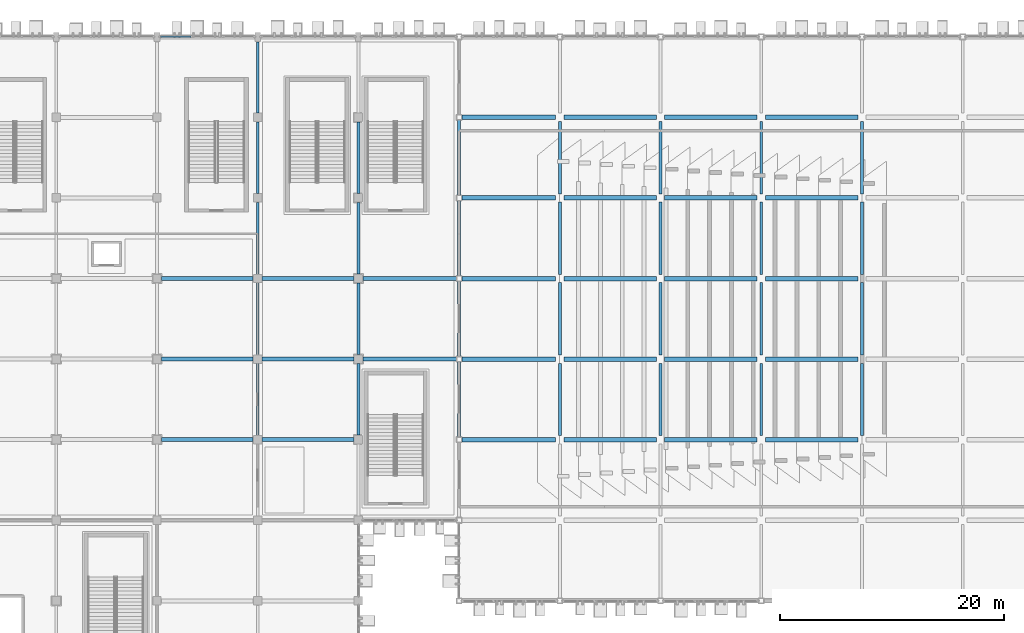
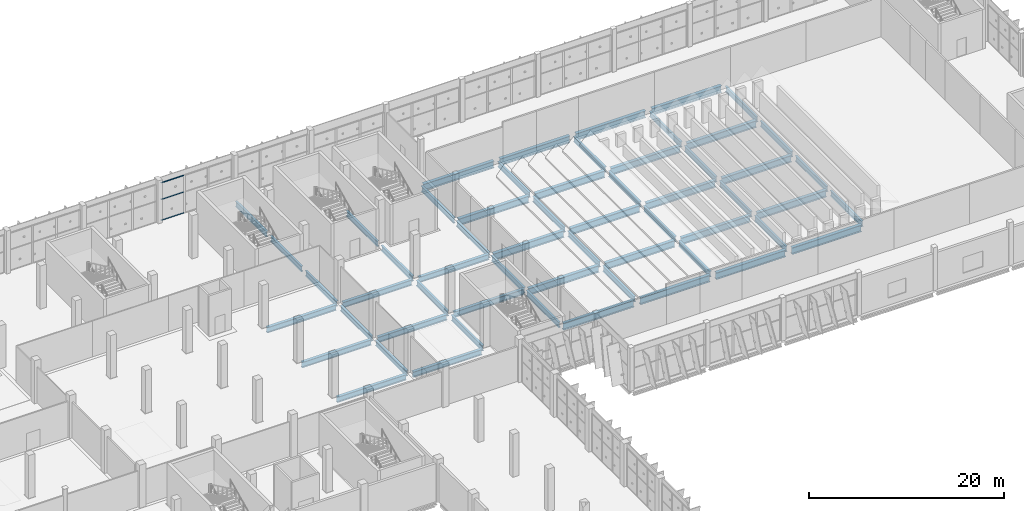
# One storey, part 101 of 189: 57 beams, 3 members, 1 element without a shape of its own.
"""IFC4 building model written with IfcOpenShell, lengths in metres."""

from ifc_helpers import new_model, si_unit, direction, frame, origin, origin_2d, place, context, subcontext, project, spatial, hollow_rectangle, i_section, extrude, material, layer, layer_set, material_profile, profile_set, type_object, element, aggregate, save


model = new_model("IFC4")

# Units and contexts
model_context = context("Model", 3, precision=1e-05, world=origin(), true_north=direction((0.0, 1.0)))
body_context = subcontext(model_context, "Body", "Model", "MODEL_VIEW")
ifc_project = project(units=[si_unit("LENGTHUNIT", "METRE"), si_unit("AREAUNIT", "SQUARE_METRE"), si_unit("VOLUMEUNIT", "CUBIC_METRE"), si_unit("PLANEANGLEUNIT", "RADIAN"), si_unit("MASSUNIT", "GRAM", prefix="KILO")], contexts=[model_context])

# Site, building, storey
site_placement = place(None, origin())
site = spatial("IfcSite", under=ifc_project, at=site_placement, CompositionType="ELEMENT")
building_placement = place(site_placement, origin())
building = spatial("IfcBuilding", under=site, at=building_placement, Name="Celestram Park Convention Centre", CompositionType="ELEMENT")
storey_placement = place(building_placement, frame((0.0, 0.0, 5.39990234375)))
storey = spatial("IfcBuildingStorey", under=building, at=storey_placement, Name="L01", CompositionType="ELEMENT", Elevation=5.39990234375)

# Curtain wall, members
ifc_material_1 = material(Name="Anodised Aluminium Alloy 6063-T6", Category="aluminium")
ifc_layer = layer(ifc_material_1, 0.179931640625)
ifc_layer_set = layer_set([ifc_layer], Name="Anodised Aluminium Alloy 6063-T6")
curtain_wall_type = type_object("IfcCurtainWallType", Name="ARC-CW-850X476", PredefinedType="NOTDEFINED", material=ifc_layer_set)
curtain_wall_placement = place(storey_placement, origin())
curtain_wall = element("IfcCurtainWall", 1, at=curtain_wall_placement, inside=storey, type_object=curtain_wall_type, Name="Unitised curtain wall CU-L01-065", PredefinedType="NOTDEFINED")
ifc_material_profile_1 = material_profile(ifc_material_1, hollow_rectangle(XDim=0.14990234375, YDim=0.06494140625, WallThickness=0.0029296875, at=origin_2d()), Name="ALU150X65X3")
ifc_profile_set_1 = profile_set([ifc_material_profile_1], Name="Anodised Aluminium Alloy 6063-T6")
member_type = type_object("IfcMemberType", Name="ARC-CWT-150", PredefinedType="USERDEFINED", material=ifc_profile_set_1)
member_1_placement = place(storey_placement, frame((126.322998046875, 165.60009765625, 0.03271484375), z_axis=(1.0, 0.0, 0.0), x_axis=(0.0, 1.0, 0.0)))
member_1 = element("IfcMember", 2, at=member_1_placement, type_object=member_type, Name="CW-85X47 transom 1.1", ObjectType="TRANSOM", PredefinedType="USERDEFINED", context=body_context, shape_type="SweptSolid", body=[
    extrude(hollow_rectangle(XDim=0.14990234375, YDim=0.06494140625, WallThickness=0.0029296875, at=origin_2d()), origin(), (0.0, 0.0, 1.0), 2.72216796875),
])
member_2_placement = place(storey_placement, frame((126.322998046875, 165.60009765625, 2.650146484375), z_axis=(1.0, 0.0, 0.0), x_axis=(0.0, 1.0, 0.0)))
member_2 = element("IfcMember", 3, at=member_2_placement, type_object=member_type, Name="CW-85X47 transom 1.2", ObjectType="TRANSOM", PredefinedType="USERDEFINED", context=body_context, shape_type="SweptSolid", body=[
    extrude(hollow_rectangle(XDim=0.14990234375, YDim=0.06494140625, WallThickness=0.0029296875, at=origin_2d()), origin(), (0.0, 0.0, 1.0), 2.72216796875),
])
member_3_placement = place(storey_placement, frame((126.322998046875, 165.60009765625, 4.731689453125), z_axis=(1.0, 0.0, 0.0), x_axis=(0.0, 1.0, 0.0)))
member_3 = element("IfcMember", 4, at=member_3_placement, type_object=member_type, Name="CW-85X47 transom 1.3", ObjectType="TRANSOM", PredefinedType="USERDEFINED", context=body_context, shape_type="SweptSolid", body=[
    extrude(hollow_rectangle(XDim=0.14990234375, YDim=0.06494140625, WallThickness=0.0029296875, at=origin_2d()), origin(), (0.0, 0.0, 1.0), 2.72216796875),
])
aggregate(curtain_wall, [member_1, member_2, member_3])

# Beams
ifc_material_2 = material(Name="Steel ASTM A992 Grade 50", Category="steel")
ifc_material_profile_2 = material_profile(ifc_material_2, i_section(OverallWidth=0.35595703125, OverallDepth=0.696044921875, WebThickness=0.015380859375, FlangeThickness=0.02490234375, at=origin_2d()), Name="W27X146")
ifc_profile_set_2 = profile_set([ifc_material_profile_2], Name="Steel ASTM A992 Grade 50")
beam_type_1 = type_object("IfcBeamType", Name="STR-BM-W27X146", PredefinedType="BEAM", material=ifc_profile_set_2)
for number, where, z_axis, x_axis, name in (
    (5, (126.39794921875, 129.60009765625, -0.6279296875), (1.0, 0.0, 0.0), (0.0, 1.0, 0.0), "Primary X-girder BG-L01-0277"),
    (6, (126.39794921875, 136.800048828125, -0.6279296875), (1.0, 0.0, 0.0), (0.0, 1.0, 0.0), "Primary X-girder BG-L01-0279"),
    (7, (126.39794921875, 144.0, -0.6279296875), (1.0, 0.0, 0.0), (0.0, 1.0, 0.0), "Primary X-girder BG-L01-0281"),
    (8, (135.39794921875, 129.60009765625, -0.6279296875), (1.0, 0.0, 0.0), (0.0, 1.0, 0.0), "Primary X-girder BG-L01-0316"),
    (9, (135.39794921875, 136.800048828125, -0.6279296875), (1.0, 0.0, 0.0), (0.0, 1.0, 0.0), "Primary X-girder BG-L01-0318"),
    (10, (135.39794921875, 144.0, -0.6279296875), (1.0, 0.0, 0.0), (0.0, 1.0, 0.0), "Primary X-girder BG-L01-0320"),
):
    element("IfcBeam", number, at=place(storey_placement, frame(where, z_axis=z_axis, x_axis=x_axis)), inside=storey, type_object=beam_type_1, Name=name, PredefinedType="BEAM", context=body_context, shape_type="SweptSolid", body=[
        extrude(i_section(OverallWidth=0.35595703125, OverallDepth=0.696044921875, WebThickness=0.015380859375, FlangeThickness=0.02490234375, at=origin_2d()), origin(), (0.0, 0.0, 1.0), 8.2041015625),
    ])
for number, where, z_axis, x_axis, name in (
    (11, (144.39794921875, 136.800048828125, -0.6279296875), (1.0, 0.0, 0.0), (0.0, 1.0, 0.0), "Primary X-girder BG-L01-0350"),
    (12, (144.39794921875, 144.0, -0.6279296875), (1.0, 0.0, 0.0), (0.0, 1.0, 0.0), "Primary X-girder BG-L01-0352"),
):
    element("IfcBeam", number, at=place(storey_placement, frame(where, z_axis=z_axis, x_axis=x_axis)), inside=storey, type_object=beam_type_1, Name=name, PredefinedType="BEAM", context=body_context, shape_type="SweptSolid", body=[
        extrude(i_section(OverallWidth=0.35595703125, OverallDepth=0.696044921875, WebThickness=0.015380859375, FlangeThickness=0.02490234375, at=origin_2d()), origin(), (0.0, 0.0, 1.0), 8.35400390625),
    ])
ifc_material_profile_3 = material_profile(ifc_material_2, i_section(OverallWidth=0.25390625, OverallDepth=0.68310546875, WebThickness=0.012451171875, FlangeThickness=0.01904296875, at=origin_2d()), Name="W27X94")
ifc_profile_set_3 = profile_set([ifc_material_profile_3], Name="Steel ASTM A992 Grade 50")
beam_type_2 = type_object("IfcBeamType", Name="STR-BM-W27X94", PredefinedType="BEAM", material=ifc_profile_set_3)
for number, where, z_axis, x_axis, name in (
    (13, (135.0, 129.998046875, -0.621337890625), (0.0, 1.0, 0.0), (-1.0, 0.0, 0.0), "Primary Y-girder BG-L01-0317"),
    (14, (135.0, 137.197998046875, -0.621337890625), (0.0, 1.0, 0.0), (-1.0, 0.0, 0.0), "Primary Y-girder BG-L01-0319"),
    (15, (135.0, 144.39794921875, -0.621337890625), (0.0, 1.0, 0.0), (-1.0, 0.0, 0.0), "Primary Y-girder BG-L01-0321"),
    (16, (135.0, 151.597900390625, -0.621337890625), (0.0, 1.0, 0.0), (-1.0, 0.0, 0.0), "Primary Y-girder BG-L01-0322"),
):
    element("IfcBeam", number, at=place(storey_placement, frame(where, z_axis=z_axis, x_axis=x_axis)), inside=storey, type_object=beam_type_2, Name=name, PredefinedType="BEAM", context=body_context, shape_type="SweptSolid", body=[
        extrude(i_section(OverallWidth=0.25390625, OverallDepth=0.68310546875, WebThickness=0.012451171875, FlangeThickness=0.01904296875, at=origin_2d()), origin(), (0.0, 0.0, 1.0), 6.404052734375),
    ])
beam_1_placement = place(storey_placement, frame((135.0, 158.798095703125, -0.621337890625), z_axis=(0.0, 1.0, 0.0), x_axis=(-1.0, 0.0, 0.0)))
element("IfcBeam", 17, at=beam_1_placement, inside=storey, type_object=beam_type_2, Name="Primary Y-girder BG-L01-0323", PredefinedType="BEAM", context=body_context, shape_type="SweptSolid", body=[
    extrude(i_section(OverallWidth=0.25390625, OverallDepth=0.68310546875, WebThickness=0.012451171875, FlangeThickness=0.01904296875, at=origin_2d()), origin(), (0.0, 0.0, 1.0), 6.35400390625),
])
for number, where, z_axis, x_axis, name in (
    (18, (144.0, 129.998046875, -0.621337890625), (0.0, 1.0, 0.0), (-1.0, 0.0, 0.0), "Primary Y-girder BG-L01-0349"),
    (19, (144.0, 137.197998046875, -0.621337890625), (0.0, 1.0, 0.0), (-1.0, 0.0, 0.0), "Primary Y-girder BG-L01-0351"),
    (20, (144.0, 144.39794921875, -0.621337890625), (0.0, 1.0, 0.0), (-1.0, 0.0, 0.0), "Primary Y-girder BG-L01-0353"),
    (21, (144.0, 151.597900390625, -0.621337890625), (0.0, 1.0, 0.0), (-1.0, 0.0, 0.0), "Primary Y-girder BG-L01-0354"),
):
    element("IfcBeam", number, at=place(storey_placement, frame(where, z_axis=z_axis, x_axis=x_axis)), inside=storey, type_object=beam_type_2, Name=name, PredefinedType="BEAM", context=body_context, shape_type="SweptSolid", body=[
        extrude(i_section(OverallWidth=0.25390625, OverallDepth=0.68310546875, WebThickness=0.012451171875, FlangeThickness=0.01904296875, at=origin_2d()), origin(), (0.0, 0.0, 1.0), 6.404052734375),
    ])
beam_2_placement = place(storey_placement, frame((153.0, 129.847900390625, -0.761474609375), z_axis=(0.0, 1.0, 0.0), x_axis=(-1.0, 0.0, 0.0)))
element("IfcBeam", 22, at=beam_2_placement, inside=storey, type_object=beam_type_2, Name="Primary Y-girder BG-L01-0372", PredefinedType="BEAM", context=body_context, shape_type="SweptSolid", body=[
    extrude(i_section(OverallWidth=0.25390625, OverallDepth=0.68310546875, WebThickness=0.012451171875, FlangeThickness=0.01904296875, at=origin_2d()), origin(), (0.0, 0.0, 1.0), 6.7041015625),
])
for number, where, z_axis, x_axis, name in (
    (23, (153.0, 137.048095703125, -0.761474609375), (0.0, 1.0, 0.0), (-1.0, 0.0, 0.0), "Primary Y-girder BG-L01-0374"),
    (24, (153.0, 144.248046875, -0.761474609375), (0.0, 1.0, 0.0), (-1.0, 0.0, 0.0), "Primary Y-girder BG-L01-0376"),
):
    element("IfcBeam", number, at=place(storey_placement, frame(where, z_axis=z_axis, x_axis=x_axis)), inside=storey, type_object=beam_type_2, Name=name, PredefinedType="BEAM", context=body_context, shape_type="SweptSolid", body=[
        extrude(i_section(OverallWidth=0.25390625, OverallDepth=0.68310546875, WebThickness=0.012451171875, FlangeThickness=0.01904296875, at=origin_2d()), origin(), (0.0, 0.0, 1.0), 6.703857421875),
    ])
beam_3_placement = place(storey_placement, frame((153.0, 151.447998046875, -0.761474609375), z_axis=(0.0, 1.0, 0.0), x_axis=(-1.0, 0.0, 0.0)))
element("IfcBeam", 25, at=beam_3_placement, inside=storey, type_object=beam_type_2, Name="Primary Y-girder BG-L01-0378", PredefinedType="BEAM", context=body_context, shape_type="SweptSolid", body=[
    extrude(i_section(OverallWidth=0.25390625, OverallDepth=0.68310546875, WebThickness=0.012451171875, FlangeThickness=0.01904296875, at=origin_2d()), origin(), (0.0, 0.0, 1.0), 6.7041015625),
])
beam_4_placement = place(storey_placement, frame((162.0, 129.972900390625, -0.761474609375), z_axis=(0.0, 1.0, 0.0), x_axis=(-1.0, 0.0, 0.0)))
element("IfcBeam", 26, at=beam_4_placement, inside=storey, type_object=beam_type_2, Name="Primary Y-girder BG-L01-0398", PredefinedType="BEAM", context=body_context, shape_type="SweptSolid", body=[
    extrude(i_section(OverallWidth=0.25390625, OverallDepth=0.68310546875, WebThickness=0.012451171875, FlangeThickness=0.01904296875, at=origin_2d()), origin(), (0.0, 0.0, 1.0), 6.4541015625),
])
for number, where, z_axis, x_axis, name in (
    (27, (162.0, 137.173095703125, -0.761474609375), (0.0, 1.0, 0.0), (-1.0, 0.0, 0.0), "Primary Y-girder BG-L01-0400"),
    (28, (162.0, 144.373046875, -0.761474609375), (0.0, 1.0, 0.0), (-1.0, 0.0, 0.0), "Primary Y-girder BG-L01-0402"),
):
    element("IfcBeam", number, at=place(storey_placement, frame(where, z_axis=z_axis, x_axis=x_axis)), inside=storey, type_object=beam_type_2, Name=name, PredefinedType="BEAM", context=body_context, shape_type="SweptSolid", body=[
        extrude(i_section(OverallWidth=0.25390625, OverallDepth=0.68310546875, WebThickness=0.012451171875, FlangeThickness=0.01904296875, at=origin_2d()), origin(), (0.0, 0.0, 1.0), 6.453857421875),
    ])
for number, where, z_axis, x_axis, name in (
    (29, (162.0, 151.572998046875, -0.761474609375), (0.0, 1.0, 0.0), (-1.0, 0.0, 0.0), "Primary Y-girder BG-L01-0404"),
    (30, (171.0, 129.972900390625, -0.761474609375), (0.0, 1.0, 0.0), (-1.0, 0.0, 0.0), "Primary Y-girder BG-L01-0424"),
):
    element("IfcBeam", number, at=place(storey_placement, frame(where, z_axis=z_axis, x_axis=x_axis)), inside=storey, type_object=beam_type_2, Name=name, PredefinedType="BEAM", context=body_context, shape_type="SweptSolid", body=[
        extrude(i_section(OverallWidth=0.25390625, OverallDepth=0.68310546875, WebThickness=0.012451171875, FlangeThickness=0.01904296875, at=origin_2d()), origin(), (0.0, 0.0, 1.0), 6.4541015625),
    ])
for number, where, z_axis, x_axis, name in (
    (31, (171.0, 137.173095703125, -0.761474609375), (0.0, 1.0, 0.0), (-1.0, 0.0, 0.0), "Primary Y-girder BG-L01-0426"),
    (32, (171.0, 144.373046875, -0.761474609375), (0.0, 1.0, 0.0), (-1.0, 0.0, 0.0), "Primary Y-girder BG-L01-0428"),
):
    element("IfcBeam", number, at=place(storey_placement, frame(where, z_axis=z_axis, x_axis=x_axis)), inside=storey, type_object=beam_type_2, Name=name, PredefinedType="BEAM", context=body_context, shape_type="SweptSolid", body=[
        extrude(i_section(OverallWidth=0.25390625, OverallDepth=0.68310546875, WebThickness=0.012451171875, FlangeThickness=0.01904296875, at=origin_2d()), origin(), (0.0, 0.0, 1.0), 6.453857421875),
    ])
for number, where, z_axis, x_axis, name in (
    (33, (171.0, 151.572998046875, -0.761474609375), (0.0, 1.0, 0.0), (-1.0, 0.0, 0.0), "Primary Y-girder BG-L01-0430"),
    (34, (180.0, 129.972900390625, -0.761474609375), (0.0, 1.0, 0.0), (-1.0, 0.0, 0.0), "Primary Y-girder BG-L01-0450"),
):
    element("IfcBeam", number, at=place(storey_placement, frame(where, z_axis=z_axis, x_axis=x_axis)), inside=storey, type_object=beam_type_2, Name=name, PredefinedType="BEAM", context=body_context, shape_type="SweptSolid", body=[
        extrude(i_section(OverallWidth=0.25390625, OverallDepth=0.68310546875, WebThickness=0.012451171875, FlangeThickness=0.01904296875, at=origin_2d()), origin(), (0.0, 0.0, 1.0), 6.4541015625),
    ])
for number, where, z_axis, x_axis, name in (
    (35, (180.0, 137.173095703125, -0.761474609375), (0.0, 1.0, 0.0), (-1.0, 0.0, 0.0), "Primary Y-girder BG-L01-0452"),
    (36, (180.0, 144.373046875, -0.761474609375), (0.0, 1.0, 0.0), (-1.0, 0.0, 0.0), "Primary Y-girder BG-L01-0454"),
):
    element("IfcBeam", number, at=place(storey_placement, frame(where, z_axis=z_axis, x_axis=x_axis)), inside=storey, type_object=beam_type_2, Name=name, PredefinedType="BEAM", context=body_context, shape_type="SweptSolid", body=[
        extrude(i_section(OverallWidth=0.25390625, OverallDepth=0.68310546875, WebThickness=0.012451171875, FlangeThickness=0.01904296875, at=origin_2d()), origin(), (0.0, 0.0, 1.0), 6.453857421875),
    ])
for number, where, z_axis, x_axis, name in (
    (37, (180.0, 151.572998046875, -0.761474609375), (0.0, 1.0, 0.0), (-1.0, 0.0, 0.0), "Primary Y-girder BG-L01-0456"),
    (38, (189.0, 129.972900390625, -0.761474609375), (0.0, 1.0, 0.0), (-1.0, 0.0, 0.0), "Primary Y-girder BG-L01-0476"),
):
    element("IfcBeam", number, at=place(storey_placement, frame(where, z_axis=z_axis, x_axis=x_axis)), inside=storey, type_object=beam_type_2, Name=name, PredefinedType="BEAM", context=body_context, shape_type="SweptSolid", body=[
        extrude(i_section(OverallWidth=0.25390625, OverallDepth=0.68310546875, WebThickness=0.012451171875, FlangeThickness=0.01904296875, at=origin_2d()), origin(), (0.0, 0.0, 1.0), 6.4541015625),
    ])
for number, where, z_axis, x_axis, name in (
    (39, (189.0, 137.173095703125, -0.761474609375), (0.0, 1.0, 0.0), (-1.0, 0.0, 0.0), "Primary Y-girder BG-L01-0478"),
    (40, (189.0, 144.373046875, -0.761474609375), (0.0, 1.0, 0.0), (-1.0, 0.0, 0.0), "Primary Y-girder BG-L01-0480"),
):
    element("IfcBeam", number, at=place(storey_placement, frame(where, z_axis=z_axis, x_axis=x_axis)), inside=storey, type_object=beam_type_2, Name=name, PredefinedType="BEAM", context=body_context, shape_type="SweptSolid", body=[
        extrude(i_section(OverallWidth=0.25390625, OverallDepth=0.68310546875, WebThickness=0.012451171875, FlangeThickness=0.01904296875, at=origin_2d()), origin(), (0.0, 0.0, 1.0), 6.453857421875),
    ])
beam_5_placement = place(storey_placement, frame((189.0, 151.572998046875, -0.761474609375), z_axis=(0.0, 1.0, 0.0), x_axis=(-1.0, 0.0, 0.0)))
element("IfcBeam", 41, at=beam_5_placement, inside=storey, type_object=beam_type_2, Name="Primary Y-girder BG-L01-0482", PredefinedType="BEAM", context=body_context, shape_type="SweptSolid", body=[
    extrude(i_section(OverallWidth=0.25390625, OverallDepth=0.68310546875, WebThickness=0.012451171875, FlangeThickness=0.01904296875, at=origin_2d()), origin(), (0.0, 0.0, 1.0), 6.4541015625),
])
ifc_material_profile_4 = material_profile(ifc_material_2, i_section(OverallWidth=0.40087890625, OverallDepth=0.85595703125, WebThickness=0.018310546875, FlangeThickness=0.029296875, at=origin_2d()), Name="W33X201")
ifc_profile_set_4 = profile_set([ifc_material_profile_4], Name="Steel ASTM A992 Grade 50")
beam_type_3 = type_object("IfcBeamType", Name="STR-BM-W33X201", PredefinedType="BEAM", material=ifc_profile_set_4)
for number, where, z_axis, x_axis, name in (
    (42, (153.248046875, 129.60009765625, -0.847900390625), (1.0, 0.0, 0.0), (0.0, 1.0, 0.0), "Primary X-girder BG-L01-0371"),
    (43, (153.248046875, 136.800048828125, -0.847900390625), (1.0, 0.0, 0.0), (0.0, 1.0, 0.0), "Primary X-girder BG-L01-0373"),
    (44, (153.248046875, 144.0, -0.847900390625), (1.0, 0.0, 0.0), (0.0, 1.0, 0.0), "Primary X-girder BG-L01-0375"),
    (45, (153.248046875, 151.199951171875, -0.847900390625), (1.0, 0.0, 0.0), (0.0, 1.0, 0.0), "Primary X-girder BG-L01-0377"),
    (46, (153.248046875, 158.39990234375, -0.847900390625), (1.0, 0.0, 0.0), (0.0, 1.0, 0.0), "Primary X-girder BG-L01-0379"),
):
    element("IfcBeam", number, at=place(storey_placement, frame(where, z_axis=z_axis, x_axis=x_axis)), inside=storey, type_object=beam_type_3, Name=name, PredefinedType="BEAM", context=body_context, shape_type="SweptSolid", body=[
        extrude(i_section(OverallWidth=0.40087890625, OverallDepth=0.85595703125, WebThickness=0.018310546875, FlangeThickness=0.029296875, at=origin_2d()), origin(), (0.0, 0.0, 1.0), 8.37890625),
    ])
for number, where, z_axis, x_axis, name in (
    (47, (162.373046875, 129.60009765625, -0.847900390625), (1.0, 0.0, 0.0), (0.0, 1.0, 0.0), "Primary X-girder BG-L01-0397"),
    (48, (162.373046875, 136.800048828125, -0.847900390625), (1.0, 0.0, 0.0), (0.0, 1.0, 0.0), "Primary X-girder BG-L01-0399"),
    (49, (162.373046875, 144.0, -0.847900390625), (1.0, 0.0, 0.0), (0.0, 1.0, 0.0), "Primary X-girder BG-L01-0401"),
    (50, (162.373046875, 151.199951171875, -0.847900390625), (1.0, 0.0, 0.0), (0.0, 1.0, 0.0), "Primary X-girder BG-L01-0403"),
    (51, (162.373046875, 158.39990234375, -0.847900390625), (1.0, 0.0, 0.0), (0.0, 1.0, 0.0), "Primary X-girder BG-L01-0405"),
    (52, (171.373046875, 129.60009765625, -0.847900390625), (1.0, 0.0, 0.0), (0.0, 1.0, 0.0), "Primary X-girder BG-L01-0423"),
    (53, (171.373046875, 136.800048828125, -0.847900390625), (1.0, 0.0, 0.0), (0.0, 1.0, 0.0), "Primary X-girder BG-L01-0425"),
    (54, (171.373046875, 144.0, -0.847900390625), (1.0, 0.0, 0.0), (0.0, 1.0, 0.0), "Primary X-girder BG-L01-0427"),
    (55, (171.373046875, 151.199951171875, -0.847900390625), (1.0, 0.0, 0.0), (0.0, 1.0, 0.0), "Primary X-girder BG-L01-0429"),
    (56, (171.373046875, 158.39990234375, -0.847900390625), (1.0, 0.0, 0.0), (0.0, 1.0, 0.0), "Primary X-girder BG-L01-0431"),
    (57, (180.373046875, 129.60009765625, -0.847900390625), (1.0, 0.0, 0.0), (0.0, 1.0, 0.0), "Primary X-girder BG-L01-0449"),
    (58, (180.373046875, 136.800048828125, -0.847900390625), (1.0, 0.0, 0.0), (0.0, 1.0, 0.0), "Primary X-girder BG-L01-0451"),
    (59, (180.373046875, 144.0, -0.847900390625), (1.0, 0.0, 0.0), (0.0, 1.0, 0.0), "Primary X-girder BG-L01-0453"),
    (60, (180.373046875, 151.199951171875, -0.847900390625), (1.0, 0.0, 0.0), (0.0, 1.0, 0.0), "Primary X-girder BG-L01-0455"),
    (61, (180.373046875, 158.39990234375, -0.847900390625), (1.0, 0.0, 0.0), (0.0, 1.0, 0.0), "Primary X-girder BG-L01-0457"),
):
    element("IfcBeam", number, at=place(storey_placement, frame(where, z_axis=z_axis, x_axis=x_axis)), inside=storey, type_object=beam_type_3, Name=name, PredefinedType="BEAM", context=body_context, shape_type="SweptSolid", body=[
        extrude(i_section(OverallWidth=0.40087890625, OverallDepth=0.85595703125, WebThickness=0.018310546875, FlangeThickness=0.029296875, at=origin_2d()), origin(), (0.0, 0.0, 1.0), 8.25390625),
    ])

save(model, "model.ifc")
